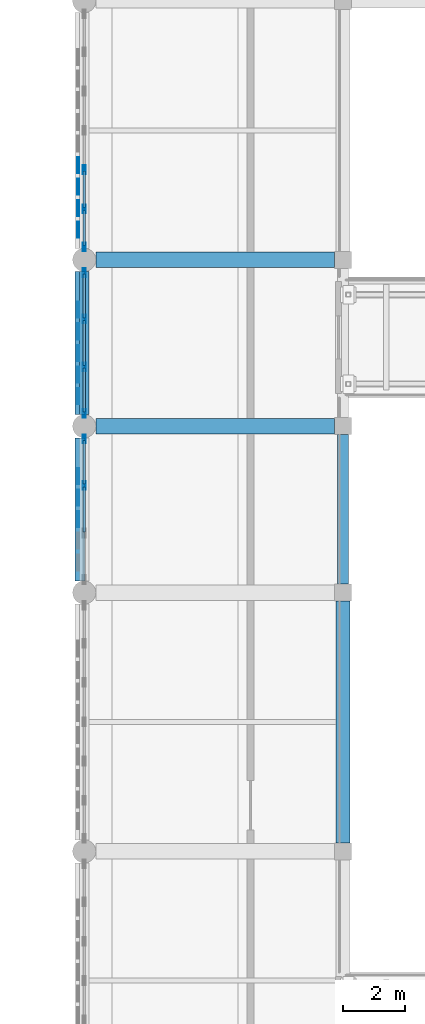
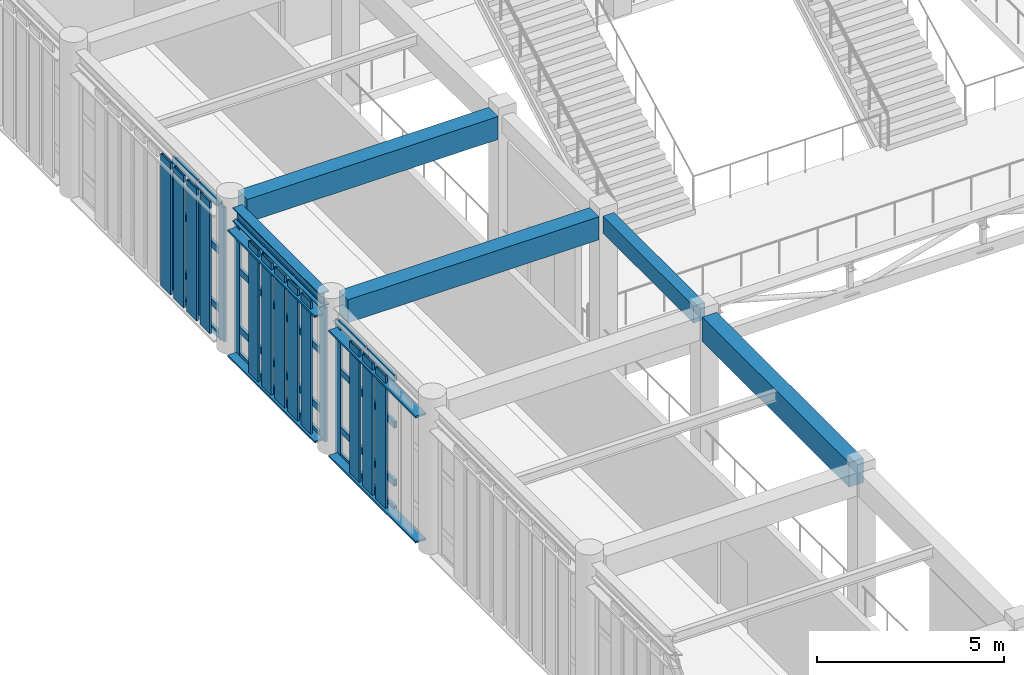
# One storey, part 31 of 106: 53 members, 5 beams, 3 elements without a shape of their own.
"""IFC4 building model written with IfcOpenShell, lengths in metres."""

from ifc_helpers import new_model, si_unit, direction, frame, origin, origin_2d, place, context, subcontext, project, spatial, rectangle, hollow_rectangle, i_section, extrude, material, layer, layer_set, material_profile, profile_set, type_object, element, aggregate, save


model = new_model("IFC4")

# Units and contexts
model_context = context("Model", 3, precision=1e-05, world=origin(), true_north=direction((0.0, 1.0)))
body_context = subcontext(model_context, "Body", "Model", "MODEL_VIEW")
ifc_project = project(units=[si_unit("LENGTHUNIT", "METRE"), si_unit("AREAUNIT", "SQUARE_METRE"), si_unit("VOLUMEUNIT", "CUBIC_METRE"), si_unit("PLANEANGLEUNIT", "RADIAN"), si_unit("MASSUNIT", "GRAM", prefix="KILO")], contexts=[model_context])

# Site, building, storey
site_placement = place(None, origin())
site = spatial("IfcSite", under=ifc_project, at=site_placement, CompositionType="ELEMENT")
building_placement = place(site_placement, origin())
building = spatial("IfcBuilding", under=site, at=building_placement, Name="Krzemoval Escarpment Law Courts", CompositionType="ELEMENT")
storey_placement = place(building_placement, frame((0.0, 0.0, 5.10009765625)))
storey = spatial("IfcBuildingStorey", under=building, at=storey_placement, Name="L01", CompositionType="ELEMENT", Elevation=5.10009765625)

# Beams
ifc_material_1 = material(Name="Concrete C40/50", Category="concrete")
ifc_material_profile_1 = material_profile(ifc_material_1, rectangle(XDim=0.35009765625, YDim=0.550048828125, at=origin_2d()), Name="RCB 350x550")
ifc_profile_set_1 = profile_set([ifc_material_profile_1], Name="Concrete C40/50")
beam_type_1 = type_object("IfcBeamType", Name="BM-RC-350x550", PredefinedType="BEAM", material=ifc_profile_set_1)
beam_1_placement = place(storey_placement, frame((16.800048828125, 74.675048828125, 4.544921875), z_axis=(0.0, 1.0, 0.0), x_axis=(-1.0, 0.0, 0.0)))
element("IfcBeam", 1, at=beam_1_placement, inside=storey, type_object=beam_type_1, Name="Beam FG-L01-1403", PredefinedType="BEAM", context=body_context, shape_type="SweptSolid", body=[
    extrude(rectangle(XDim=0.35009765625, YDim=0.550048828125, at=origin_2d()), origin(), (0.0, 0.0, 1.0), 4.849853515625),
])
ifc_material_2 = material(Name="Concrete C40/50", Category="concrete")
ifc_material_profile_2 = material_profile(ifc_material_2, rectangle(XDim=0.449951171875, YDim=0.800048828125, at=origin_2d()), Name="RCB 450x800")
ifc_profile_set_2 = profile_set([ifc_material_profile_2], Name="Concrete C40/50")
beam_type_2 = type_object("IfcBeamType", Name="BM-RC-450x800", PredefinedType="BEAM", material=ifc_profile_set_2)
beam_2_placement = place(storey_placement, frame((16.800048828125, 66.27490234375, 4.419921875), z_axis=(0.0, 1.0, 0.0), x_axis=(-1.0, 0.0, 0.0)))
element("IfcBeam", 2, at=beam_2_placement, inside=storey, type_object=beam_type_2, Name="Beam FG-L01-1402", PredefinedType="BEAM", context=body_context, shape_type="SweptSolid", body=[
    extrude(rectangle(XDim=0.449951171875, YDim=0.800048828125, at=origin_2d()), origin(), (0.0, 0.0, 1.0), 7.85009765625),
])
ifc_material_3 = material(Name="Concrete C40/50", Category="concrete")
ifc_material_profile_3 = material_profile(ifc_material_3, rectangle(XDim=0.5, YDim=0.75, at=origin_2d()), Name="RCB 500x750")
ifc_profile_set_3 = profile_set([ifc_material_profile_3], Name="Concrete C40/50")
beam_type_3 = type_object("IfcBeamType", Name="BM-RC-500x750", PredefinedType="BEAM", material=ifc_profile_set_3)
for number, where, z_axis, x_axis, name in (
    (3, (8.77490234375, 79.800048828125, 4.44482421875), (1.0, 0.0, 0.0), (0.0, 1.0, 0.0), "Beam FG-L01-1280"),
    (4, (8.77490234375, 85.199951171875, 4.44482421875), (1.0, 0.0, 0.0), (0.0, 1.0, 0.0), "Beam FG-L01-1284"),
):
    element("IfcBeam", number, at=place(storey_placement, frame(where, z_axis=z_axis, x_axis=x_axis)), inside=storey, type_object=beam_type_3, Name=name, PredefinedType="BEAM", context=body_context, shape_type="SweptSolid", body=[
        extrude(rectangle(XDim=0.5, YDim=0.75, at=origin_2d()), origin(), (0.0, 0.0, 1.0), 7.75),
    ])

# Curtain wall, members
ifc_material_4 = material(Name="Aluminium 6063-T6", Category="aluminium")
ifc_layer = layer(ifc_material_4, 0.280029296875)
ifc_layer_set = layer_set([ifc_layer], Name="Aluminium 6063-T6")
curtain_wall_type = type_object("IfcCurtainWallType", Name="CW-HALL-5100", PredefinedType="USERDEFINED", material=ifc_layer_set)
curtain_wall_1_placement = place(storey_placement, origin())
curtain_wall_1 = element("IfcCurtainWall", 5, at=curtain_wall_1_placement, inside=storey, type_object=curtain_wall_type, Name="Unitised Curtain Wall FCW-L01-027", ObjectType="UNITISED_CURTAIN_WALL", PredefinedType="USERDEFINED")
ifc_material_5 = material(Name="Aluminium 6063-T6", Category="aluminium")
ifc_material_profile_4 = material_profile(ifc_material_5, hollow_rectangle(XDim=0.0849609375, YDim=0.280029296875, WallThickness=0.005615234375, at=origin_2d()), Name="ALU M85x280")
ifc_profile_set_4 = profile_set([ifc_material_profile_4], Name="Aluminium 6063-T6")
member_type_1 = type_object("IfcMemberType", Name="CWM-85x280", PredefinedType="MULLION", material=ifc_profile_set_4)
member_1_placement = place(storey_placement, frame((8.39990234375, 77.875, 0.0), z_axis=(0.0, 0.0, 1.0), x_axis=(-1.0, 0.0, 0.0)))
member_1 = element("IfcMember", 6, at=member_1_placement, type_object=member_type_1, Name="FCW-L01-027 mullion 3", PredefinedType="MULLION", context=body_context, shape_type="SweptSolid", body=[
    extrude(hollow_rectangle(XDim=0.0849609375, YDim=0.280029296875, WallThickness=0.005615234375, at=origin_2d()), origin(), (0.0, 0.0, 1.0), 4.369873046875),
])
member_2_placement = place(storey_placement, frame((8.39990234375, 79.382568359375, 0.0), z_axis=(0.0, 0.0, 1.0), x_axis=(-1.0, 0.0, 0.0)))
member_2 = element("IfcMember", 7, at=member_2_placement, type_object=member_type_1, Name="FCW-L01-027 mullion 4", PredefinedType="MULLION", context=body_context, shape_type="SweptSolid", body=[
    extrude(hollow_rectangle(XDim=0.0849609375, YDim=0.280029296875, WallThickness=0.005615234375, at=origin_2d()), origin(), (0.0, 0.0, 1.0), 4.369873046875),
])

curtain_wall_2_placement = place(storey_placement, origin())
curtain_wall_2 = element("IfcCurtainWall", 8, at=curtain_wall_2_placement, inside=storey, type_object=curtain_wall_type, Name="Unitised Curtain Wall FCW-L01-028", ObjectType="UNITISED_CURTAIN_WALL", PredefinedType="USERDEFINED")
member_3_placement = place(storey_placement, frame((8.39990234375, 80.217529296875, 0.0), z_axis=(0.0, 0.0, 1.0), x_axis=(-1.0, 0.0, 0.0)))
member_3 = element("IfcMember", 9, at=member_3_placement, type_object=member_type_1, Name="FCW-L01-028 mullion 1", PredefinedType="MULLION", context=body_context, shape_type="SweptSolid", body=[
    extrude(hollow_rectangle(XDim=0.0849609375, YDim=0.280029296875, WallThickness=0.005615234375, at=origin_2d()), origin(), (0.0, 0.0, 1.0), 4.369873046875),
])
member_4_placement = place(storey_placement, frame((8.39990234375, 81.72509765625, 0.0), z_axis=(0.0, 0.0, 1.0), x_axis=(-1.0, 0.0, 0.0)))
member_4 = element("IfcMember", 10, at=member_4_placement, type_object=member_type_1, Name="FCW-L01-028 mullion 2", PredefinedType="MULLION", context=body_context, shape_type="SweptSolid", body=[
    extrude(hollow_rectangle(XDim=0.0849609375, YDim=0.280029296875, WallThickness=0.005615234375, at=origin_2d()), origin(), (0.0, 0.0, 1.0), 4.369873046875),
])
member_5_placement = place(storey_placement, frame((8.39990234375, 83.27490234375, 0.0), z_axis=(0.0, 0.0, 1.0), x_axis=(-1.0, 0.0, 0.0)))
member_5 = element("IfcMember", 11, at=member_5_placement, type_object=member_type_1, Name="FCW-L01-028 mullion 3", PredefinedType="MULLION", context=body_context, shape_type="SweptSolid", body=[
    extrude(hollow_rectangle(XDim=0.0849609375, YDim=0.280029296875, WallThickness=0.005615234375, at=origin_2d()), origin(), (0.0, 0.0, 1.0), 4.369873046875),
])
member_6_placement = place(storey_placement, frame((8.39990234375, 84.782470703125, 0.0), z_axis=(0.0, 0.0, 1.0), x_axis=(-1.0, 0.0, 0.0)))
member_6 = element("IfcMember", 12, at=member_6_placement, type_object=member_type_1, Name="FCW-L01-028 mullion 4", PredefinedType="MULLION", context=body_context, shape_type="SweptSolid", body=[
    extrude(hollow_rectangle(XDim=0.0849609375, YDim=0.280029296875, WallThickness=0.005615234375, at=origin_2d()), origin(), (0.0, 0.0, 1.0), 4.369873046875),
])

curtain_wall_3_placement = place(storey_placement, origin())
curtain_wall_3 = element("IfcCurtainWall", 13, at=curtain_wall_3_placement, inside=storey, type_object=curtain_wall_type, Name="Unitised Curtain Wall FCW-L01-029", ObjectType="UNITISED_CURTAIN_WALL", PredefinedType="USERDEFINED")
member_7_placement = place(storey_placement, frame((8.39990234375, 85.617431640625, 0.0), z_axis=(0.0, 0.0, 1.0), x_axis=(-1.0, 0.0, 0.0)))
member_7 = element("IfcMember", 14, at=member_7_placement, type_object=member_type_1, Name="FCW-L01-029 mullion 1", PredefinedType="MULLION", context=body_context, shape_type="SweptSolid", body=[
    extrude(hollow_rectangle(XDim=0.0849609375, YDim=0.280029296875, WallThickness=0.005615234375, at=origin_2d()), origin(), (0.0, 0.0, 1.0), 4.369873046875),
])
member_8_placement = place(storey_placement, frame((8.39990234375, 86.85009765625, 0.0), z_axis=(0.0, 0.0, 1.0), x_axis=(-1.0, 0.0, 0.0)))
member_8 = element("IfcMember", 15, at=member_8_placement, type_object=member_type_1, Name="FCW-L01-029 mullion 2", PredefinedType="MULLION", context=body_context, shape_type="SweptSolid", body=[
    extrude(hollow_rectangle(XDim=0.0849609375, YDim=0.280029296875, WallThickness=0.005615234375, at=origin_2d()), origin(), (0.0, 0.0, 1.0), 4.369873046875),
])
member_9_placement = place(storey_placement, frame((8.39990234375, 88.125, 0.0), z_axis=(0.0, 0.0, 1.0), x_axis=(-1.0, 0.0, 0.0)))
member_9 = element("IfcMember", 16, at=member_9_placement, type_object=member_type_1, Name="FCW-L01-029 mullion 3", PredefinedType="MULLION", context=body_context, shape_type="SweptSolid", body=[
    extrude(hollow_rectangle(XDim=0.0849609375, YDim=0.280029296875, WallThickness=0.005615234375, at=origin_2d()), origin(), (0.0, 0.0, 1.0), 4.369873046875),
])

# Member
ifc_material_6 = material(Name="Aluminium 6063-T6", Category="aluminium")
ifc_material_profile_5 = material_profile(ifc_material_6, hollow_rectangle(XDim=0.0849609375, YDim=0.2099609375, WallThickness=0.005615234375, at=origin_2d()), Name="ALU T85x210")
ifc_profile_set_5 = profile_set([ifc_material_profile_5], Name="Aluminium 6063-T6")
member_type_2 = type_object("IfcMemberType", Name="CWT-85x210", PredefinedType="USERDEFINED", material=ifc_profile_set_5)
member_10_placement = place(storey_placement, frame((8.39990234375, 76.367431640625, 0.04248046875), z_axis=(0.0, 1.0, 0.0), x_axis=(-1.0, 0.0, 0.0)))
member_10 = element("IfcMember", 17, at=member_10_placement, type_object=member_type_2, Name="FCW-L01-027 transom 2.1", ObjectType="TRANSOM", PredefinedType="USERDEFINED", context=body_context, shape_type="SweptSolid", body=[
    extrude(hollow_rectangle(XDim=0.0849609375, YDim=0.2099609375, WallThickness=0.005615234375, at=origin_2d()), origin(), (0.0, 0.0, 1.0), 1.465087890625),
])

member_11_placement = place(storey_placement, frame((8.39990234375, 76.367431640625, 0.89990234375), z_axis=(0.0, 1.0, 0.0), x_axis=(-1.0, 0.0, 0.0)))
member_11 = element("IfcMember", 18, at=member_11_placement, type_object=member_type_2, Name="FCW-L01-027 transom 2.2", ObjectType="TRANSOM", PredefinedType="USERDEFINED", context=body_context, shape_type="SweptSolid", body=[
    extrude(hollow_rectangle(XDim=0.0849609375, YDim=0.2099609375, WallThickness=0.005615234375, at=origin_2d()), origin(), (0.0, 0.0, 1.0), 1.465087890625),
])

member_12_placement = place(storey_placement, frame((8.39990234375, 76.367431640625, 2.7998046875), z_axis=(0.0, 1.0, 0.0), x_axis=(-1.0, 0.0, 0.0)))
member_12 = element("IfcMember", 19, at=member_12_placement, type_object=member_type_2, Name="FCW-L01-027 transom 2.3", ObjectType="TRANSOM", PredefinedType="USERDEFINED", context=body_context, shape_type="SweptSolid", body=[
    extrude(hollow_rectangle(XDim=0.0849609375, YDim=0.2099609375, WallThickness=0.005615234375, at=origin_2d()), origin(), (0.0, 0.0, 1.0), 1.465087890625),
])

member_13_placement = place(storey_placement, frame((8.39990234375, 76.367431640625, 4.327392578125), z_axis=(0.0, 1.0, 0.0), x_axis=(-1.0, 0.0, 0.0)))
member_13 = element("IfcMember", 20, at=member_13_placement, type_object=member_type_2, Name="FCW-L01-027 transom 2.4", ObjectType="TRANSOM", PredefinedType="USERDEFINED", context=body_context, shape_type="SweptSolid", body=[
    extrude(hollow_rectangle(XDim=0.0849609375, YDim=0.2099609375, WallThickness=0.005615234375, at=origin_2d()), origin(), (0.0, 0.0, 1.0), 1.465087890625),
])

member_14_placement = place(storey_placement, frame((8.39990234375, 77.91748046875, 0.04248046875), z_axis=(0.0, 1.0, 0.0), x_axis=(-1.0, 0.0, 0.0)))
member_14 = element("IfcMember", 21, at=member_14_placement, type_object=member_type_2, Name="FCW-L01-027 transom 3.1", ObjectType="TRANSOM", PredefinedType="USERDEFINED", context=body_context, shape_type="SweptSolid", body=[
    extrude(hollow_rectangle(XDim=0.0849609375, YDim=0.2099609375, WallThickness=0.005615234375, at=origin_2d()), origin(), (0.0, 0.0, 1.0), 1.422607421875),
])

member_15_placement = place(storey_placement, frame((8.39990234375, 77.91748046875, 0.89990234375), z_axis=(0.0, 1.0, 0.0), x_axis=(-1.0, 0.0, 0.0)))
member_15 = element("IfcMember", 22, at=member_15_placement, type_object=member_type_2, Name="FCW-L01-027 transom 3.2", ObjectType="TRANSOM", PredefinedType="USERDEFINED", context=body_context, shape_type="SweptSolid", body=[
    extrude(hollow_rectangle(XDim=0.0849609375, YDim=0.2099609375, WallThickness=0.005615234375, at=origin_2d()), origin(), (0.0, 0.0, 1.0), 1.422607421875),
])

member_16_placement = place(storey_placement, frame((8.39990234375, 77.91748046875, 2.7998046875), z_axis=(0.0, 1.0, 0.0), x_axis=(-1.0, 0.0, 0.0)))
member_16 = element("IfcMember", 23, at=member_16_placement, type_object=member_type_2, Name="FCW-L01-027 transom 3.3", ObjectType="TRANSOM", PredefinedType="USERDEFINED", context=body_context, shape_type="SweptSolid", body=[
    extrude(hollow_rectangle(XDim=0.0849609375, YDim=0.2099609375, WallThickness=0.005615234375, at=origin_2d()), origin(), (0.0, 0.0, 1.0), 1.422607421875),
])

member_17_placement = place(storey_placement, frame((8.39990234375, 77.91748046875, 4.327392578125), z_axis=(0.0, 1.0, 0.0), x_axis=(-1.0, 0.0, 0.0)))
member_17 = element("IfcMember", 24, at=member_17_placement, type_object=member_type_2, Name="FCW-L01-027 transom 3.4", ObjectType="TRANSOM", PredefinedType="USERDEFINED", context=body_context, shape_type="SweptSolid", body=[
    extrude(hollow_rectangle(XDim=0.0849609375, YDim=0.2099609375, WallThickness=0.005615234375, at=origin_2d()), origin(), (0.0, 0.0, 1.0), 1.422607421875),
])

aggregate(curtain_wall_1, [member_1, member_2, member_10, member_11, member_12, member_13, member_14, member_15, member_16, member_17])

member_18_placement = place(storey_placement, frame((8.39990234375, 80.260009765625, 0.04248046875), z_axis=(0.0, 1.0, 0.0), x_axis=(-1.0, 0.0, 0.0)))
member_18 = element("IfcMember", 25, at=member_18_placement, type_object=member_type_2, Name="FCW-L01-028 transom 1.1", ObjectType="TRANSOM", PredefinedType="USERDEFINED", context=body_context, shape_type="SweptSolid", body=[
    extrude(hollow_rectangle(XDim=0.0849609375, YDim=0.2099609375, WallThickness=0.005615234375, at=origin_2d()), origin(), (0.0, 0.0, 1.0), 1.422607421875),
])

member_19_placement = place(storey_placement, frame((8.39990234375, 80.260009765625, 0.89990234375), z_axis=(0.0, 1.0, 0.0), x_axis=(-1.0, 0.0, 0.0)))
member_19 = element("IfcMember", 26, at=member_19_placement, type_object=member_type_2, Name="FCW-L01-028 transom 1.2", ObjectType="TRANSOM", PredefinedType="USERDEFINED", context=body_context, shape_type="SweptSolid", body=[
    extrude(hollow_rectangle(XDim=0.0849609375, YDim=0.2099609375, WallThickness=0.005615234375, at=origin_2d()), origin(), (0.0, 0.0, 1.0), 1.422607421875),
])

member_20_placement = place(storey_placement, frame((8.39990234375, 80.260009765625, 2.7998046875), z_axis=(0.0, 1.0, 0.0), x_axis=(-1.0, 0.0, 0.0)))
member_20 = element("IfcMember", 27, at=member_20_placement, type_object=member_type_2, Name="FCW-L01-028 transom 1.3", ObjectType="TRANSOM", PredefinedType="USERDEFINED", context=body_context, shape_type="SweptSolid", body=[
    extrude(hollow_rectangle(XDim=0.0849609375, YDim=0.2099609375, WallThickness=0.005615234375, at=origin_2d()), origin(), (0.0, 0.0, 1.0), 1.422607421875),
])

member_21_placement = place(storey_placement, frame((8.39990234375, 80.260009765625, 4.327392578125), z_axis=(0.0, 1.0, 0.0), x_axis=(-1.0, 0.0, 0.0)))
member_21 = element("IfcMember", 28, at=member_21_placement, type_object=member_type_2, Name="FCW-L01-028 transom 1.4", ObjectType="TRANSOM", PredefinedType="USERDEFINED", context=body_context, shape_type="SweptSolid", body=[
    extrude(hollow_rectangle(XDim=0.0849609375, YDim=0.2099609375, WallThickness=0.005615234375, at=origin_2d()), origin(), (0.0, 0.0, 1.0), 1.422607421875),
])

member_22_placement = place(storey_placement, frame((8.39990234375, 81.767578125, 0.04248046875), z_axis=(0.0, 1.0, 0.0), x_axis=(-1.0, 0.0, 0.0)))
member_22 = element("IfcMember", 29, at=member_22_placement, type_object=member_type_2, Name="FCW-L01-028 transom 2.1", ObjectType="TRANSOM", PredefinedType="USERDEFINED", context=body_context, shape_type="SweptSolid", body=[
    extrude(hollow_rectangle(XDim=0.0849609375, YDim=0.2099609375, WallThickness=0.005615234375, at=origin_2d()), origin(), (0.0, 0.0, 1.0), 1.46484375),
])

member_23_placement = place(storey_placement, frame((8.39990234375, 81.767578125, 0.89990234375), z_axis=(0.0, 1.0, 0.0), x_axis=(-1.0, 0.0, 0.0)))
member_23 = element("IfcMember", 30, at=member_23_placement, type_object=member_type_2, Name="FCW-L01-028 transom 2.2", ObjectType="TRANSOM", PredefinedType="USERDEFINED", context=body_context, shape_type="SweptSolid", body=[
    extrude(hollow_rectangle(XDim=0.0849609375, YDim=0.2099609375, WallThickness=0.005615234375, at=origin_2d()), origin(), (0.0, 0.0, 1.0), 1.46484375),
])

member_24_placement = place(storey_placement, frame((8.39990234375, 81.767578125, 2.7998046875), z_axis=(0.0, 1.0, 0.0), x_axis=(-1.0, 0.0, 0.0)))
member_24 = element("IfcMember", 31, at=member_24_placement, type_object=member_type_2, Name="FCW-L01-028 transom 2.3", ObjectType="TRANSOM", PredefinedType="USERDEFINED", context=body_context, shape_type="SweptSolid", body=[
    extrude(hollow_rectangle(XDim=0.0849609375, YDim=0.2099609375, WallThickness=0.005615234375, at=origin_2d()), origin(), (0.0, 0.0, 1.0), 1.46484375),
])

member_25_placement = place(storey_placement, frame((8.39990234375, 81.767578125, 4.327392578125), z_axis=(0.0, 1.0, 0.0), x_axis=(-1.0, 0.0, 0.0)))
member_25 = element("IfcMember", 32, at=member_25_placement, type_object=member_type_2, Name="FCW-L01-028 transom 2.4", ObjectType="TRANSOM", PredefinedType="USERDEFINED", context=body_context, shape_type="SweptSolid", body=[
    extrude(hollow_rectangle(XDim=0.0849609375, YDim=0.2099609375, WallThickness=0.005615234375, at=origin_2d()), origin(), (0.0, 0.0, 1.0), 1.46484375),
])

member_26_placement = place(storey_placement, frame((8.39990234375, 83.3173828125, 0.04248046875), z_axis=(0.0, 1.0, 0.0), x_axis=(-1.0, 0.0, 0.0)))
member_26 = element("IfcMember", 33, at=member_26_placement, type_object=member_type_2, Name="FCW-L01-028 transom 3.1", ObjectType="TRANSOM", PredefinedType="USERDEFINED", context=body_context, shape_type="SweptSolid", body=[
    extrude(hollow_rectangle(XDim=0.0849609375, YDim=0.2099609375, WallThickness=0.005615234375, at=origin_2d()), origin(), (0.0, 0.0, 1.0), 1.422607421875),
])

member_27_placement = place(storey_placement, frame((8.39990234375, 83.3173828125, 0.89990234375), z_axis=(0.0, 1.0, 0.0), x_axis=(-1.0, 0.0, 0.0)))
member_27 = element("IfcMember", 34, at=member_27_placement, type_object=member_type_2, Name="FCW-L01-028 transom 3.2", ObjectType="TRANSOM", PredefinedType="USERDEFINED", context=body_context, shape_type="SweptSolid", body=[
    extrude(hollow_rectangle(XDim=0.0849609375, YDim=0.2099609375, WallThickness=0.005615234375, at=origin_2d()), origin(), (0.0, 0.0, 1.0), 1.422607421875),
])

member_28_placement = place(storey_placement, frame((8.39990234375, 83.3173828125, 2.7998046875), z_axis=(0.0, 1.0, 0.0), x_axis=(-1.0, 0.0, 0.0)))
member_28 = element("IfcMember", 35, at=member_28_placement, type_object=member_type_2, Name="FCW-L01-028 transom 3.3", ObjectType="TRANSOM", PredefinedType="USERDEFINED", context=body_context, shape_type="SweptSolid", body=[
    extrude(hollow_rectangle(XDim=0.0849609375, YDim=0.2099609375, WallThickness=0.005615234375, at=origin_2d()), origin(), (0.0, 0.0, 1.0), 1.422607421875),
])

member_29_placement = place(storey_placement, frame((8.39990234375, 83.3173828125, 4.327392578125), z_axis=(0.0, 1.0, 0.0), x_axis=(-1.0, 0.0, 0.0)))
member_29 = element("IfcMember", 36, at=member_29_placement, type_object=member_type_2, Name="FCW-L01-028 transom 3.4", ObjectType="TRANSOM", PredefinedType="USERDEFINED", context=body_context, shape_type="SweptSolid", body=[
    extrude(hollow_rectangle(XDim=0.0849609375, YDim=0.2099609375, WallThickness=0.005615234375, at=origin_2d()), origin(), (0.0, 0.0, 1.0), 1.422607421875),
])

aggregate(curtain_wall_2, [member_3, member_4, member_5, member_6, member_18, member_19, member_20, member_21, member_22, member_23, member_24, member_25, member_26, member_27, member_28, member_29])

member_30_placement = place(storey_placement, frame((8.39990234375, 85.659912109375, 0.04248046875), z_axis=(0.0, 1.0, 0.0), x_axis=(-1.0, 0.0, 0.0)))
member_30 = element("IfcMember", 37, at=member_30_placement, type_object=member_type_2, Name="FCW-L01-029 transom 1.1", ObjectType="TRANSOM", PredefinedType="USERDEFINED", context=body_context, shape_type="SweptSolid", body=[
    extrude(hollow_rectangle(XDim=0.0849609375, YDim=0.2099609375, WallThickness=0.005615234375, at=origin_2d()), origin(), (0.0, 0.0, 1.0), 1.147705078125),
])

member_31_placement = place(storey_placement, frame((8.39990234375, 85.659912109375, 0.89990234375), z_axis=(0.0, 1.0, 0.0), x_axis=(-1.0, 0.0, 0.0)))
member_31 = element("IfcMember", 38, at=member_31_placement, type_object=member_type_2, Name="FCW-L01-029 transom 1.2", ObjectType="TRANSOM", PredefinedType="USERDEFINED", context=body_context, shape_type="SweptSolid", body=[
    extrude(hollow_rectangle(XDim=0.0849609375, YDim=0.2099609375, WallThickness=0.005615234375, at=origin_2d()), origin(), (0.0, 0.0, 1.0), 1.147705078125),
])

member_32_placement = place(storey_placement, frame((8.39990234375, 85.659912109375, 2.7998046875), z_axis=(0.0, 1.0, 0.0), x_axis=(-1.0, 0.0, 0.0)))
member_32 = element("IfcMember", 39, at=member_32_placement, type_object=member_type_2, Name="FCW-L01-029 transom 1.3", ObjectType="TRANSOM", PredefinedType="USERDEFINED", context=body_context, shape_type="SweptSolid", body=[
    extrude(hollow_rectangle(XDim=0.0849609375, YDim=0.2099609375, WallThickness=0.005615234375, at=origin_2d()), origin(), (0.0, 0.0, 1.0), 1.147705078125),
])

member_33_placement = place(storey_placement, frame((8.39990234375, 85.659912109375, 4.327392578125), z_axis=(0.0, 1.0, 0.0), x_axis=(-1.0, 0.0, 0.0)))
member_33 = element("IfcMember", 40, at=member_33_placement, type_object=member_type_2, Name="FCW-L01-029 transom 1.4", ObjectType="TRANSOM", PredefinedType="USERDEFINED", context=body_context, shape_type="SweptSolid", body=[
    extrude(hollow_rectangle(XDim=0.0849609375, YDim=0.2099609375, WallThickness=0.005615234375, at=origin_2d()), origin(), (0.0, 0.0, 1.0), 1.147705078125),
])

member_34_placement = place(storey_placement, frame((8.39990234375, 86.892578125, 0.04248046875), z_axis=(0.0, 1.0, 0.0), x_axis=(-1.0, 0.0, 0.0)))
member_34 = element("IfcMember", 41, at=member_34_placement, type_object=member_type_2, Name="FCW-L01-029 transom 2.1", ObjectType="TRANSOM", PredefinedType="USERDEFINED", context=body_context, shape_type="SweptSolid", body=[
    extrude(hollow_rectangle(XDim=0.0849609375, YDim=0.2099609375, WallThickness=0.005615234375, at=origin_2d()), origin(), (0.0, 0.0, 1.0), 1.18994140625),
])

member_35_placement = place(storey_placement, frame((8.39990234375, 86.892578125, 0.89990234375), z_axis=(0.0, 1.0, 0.0), x_axis=(-1.0, 0.0, 0.0)))
member_35 = element("IfcMember", 42, at=member_35_placement, type_object=member_type_2, Name="FCW-L01-029 transom 2.2", ObjectType="TRANSOM", PredefinedType="USERDEFINED", context=body_context, shape_type="SweptSolid", body=[
    extrude(hollow_rectangle(XDim=0.0849609375, YDim=0.2099609375, WallThickness=0.005615234375, at=origin_2d()), origin(), (0.0, 0.0, 1.0), 1.18994140625),
])

member_36_placement = place(storey_placement, frame((8.39990234375, 86.892578125, 2.7998046875), z_axis=(0.0, 1.0, 0.0), x_axis=(-1.0, 0.0, 0.0)))
member_36 = element("IfcMember", 43, at=member_36_placement, type_object=member_type_2, Name="FCW-L01-029 transom 2.3", ObjectType="TRANSOM", PredefinedType="USERDEFINED", context=body_context, shape_type="SweptSolid", body=[
    extrude(hollow_rectangle(XDim=0.0849609375, YDim=0.2099609375, WallThickness=0.005615234375, at=origin_2d()), origin(), (0.0, 0.0, 1.0), 1.18994140625),
])

member_37_placement = place(storey_placement, frame((8.39990234375, 86.892578125, 4.327392578125), z_axis=(0.0, 1.0, 0.0), x_axis=(-1.0, 0.0, 0.0)))
member_37 = element("IfcMember", 44, at=member_37_placement, type_object=member_type_2, Name="FCW-L01-029 transom 2.4", ObjectType="TRANSOM", PredefinedType="USERDEFINED", context=body_context, shape_type="SweptSolid", body=[
    extrude(hollow_rectangle(XDim=0.0849609375, YDim=0.2099609375, WallThickness=0.005615234375, at=origin_2d()), origin(), (0.0, 0.0, 1.0), 1.18994140625),
])

aggregate(curtain_wall_3, [member_7, member_8, member_9, member_30, member_31, member_32, member_33, member_34, member_35, member_36, member_37])

# Members
ifc_material_7 = material(Name="Anodised Aluminium Alloy 6063-T6", Category="aluminium")
ifc_material_profile_6 = material_profile(ifc_material_7, hollow_rectangle(XDim=0.06005859375, YDim=0.320068359375, WallThickness=0.00390625, at=origin_2d()), Name="ALU LVR 60x320")
ifc_profile_set_6 = profile_set([ifc_material_profile_6], Name="Anodised Aluminium Alloy 6063-T6")
member_type_3 = type_object("IfcMemberType", Name="LVR-ALU-320", PredefinedType="USERDEFINED", material=ifc_profile_set_6)
for number, where, z_axis, x_axis, name in (
    (45, (8.260009765625, 74.77490234375, 0.02978515625), (0.0, 1.0, 0.0), (0.0, 0.0, 1.0), "Sunshade Support Rail FSR-L01-0052"),
    (46, (8.260009765625, 74.77490234375, 4.119873046875), (0.0, 1.0, 0.0), (0.0, 0.0, 1.0), "Sunshade Support Rail FSR-L01-0053"),
):
    element("IfcMember", number, at=place(storey_placement, frame(where, z_axis=z_axis, x_axis=x_axis)), inside=storey, type_object=member_type_3, Name=name, ObjectType="SUNSHADE_LOUVRE", PredefinedType="USERDEFINED", context=body_context, shape_type="SweptSolid", body=[
        extrude(hollow_rectangle(XDim=0.06005859375, YDim=0.320068359375, WallThickness=0.00390625, at=origin_2d()), origin(), (0.0, 0.0, 1.0), 4.650146484375),
    ])
for number, where, z_axis, x_axis, name in (
    (47, (8.260009765625, 80.175048828125, 0.02978515625), (0.0, 1.0, 0.0), (0.0, 0.0, 1.0), "Sunshade Support Rail FSR-L01-0059"),
    (48, (8.260009765625, 80.175048828125, 4.119873046875), (0.0, 1.0, 0.0), (0.0, 0.0, 1.0), "Sunshade Support Rail FSR-L01-0060"),
):
    element("IfcMember", number, at=place(storey_placement, frame(where, z_axis=z_axis, x_axis=x_axis)), inside=storey, type_object=member_type_3, Name=name, ObjectType="SUNSHADE_LOUVRE", PredefinedType="USERDEFINED", context=body_context, shape_type="SweptSolid", body=[
        extrude(hollow_rectangle(XDim=0.06005859375, YDim=0.320068359375, WallThickness=0.00390625, at=origin_2d()), origin(), (0.0, 0.0, 1.0), 4.64990234375),
    ])
ifc_material_8 = material(Name="Anodised Aluminium Alloy 6063-T6", Category="aluminium")
ifc_material_profile_7 = material_profile(ifc_material_8, hollow_rectangle(XDim=0.06494140625, YDim=0.52001953125, WallThickness=0.00439453125, at=origin_2d()), Name="ALU LVR 65x520")
ifc_profile_set_7 = profile_set([ifc_material_profile_7], Name="Anodised Aluminium Alloy 6063-T6")
member_type_4 = type_object("IfcMemberType", Name="LVR-ALU-520", PredefinedType="USERDEFINED", material=ifc_profile_set_7)
for number, where, z_axis, x_axis, name in (
    (49, (8.199951171875, 76.77490234375, 0.059814453125), (0.0, 0.0, 1.0), (1.0, 0.0, 0.0), "Sunshade Louvre Fin FLV-L01-0056"),
    (50, (8.199951171875, 77.47509765625, 0.059814453125), (0.0, 0.0, 1.0), (1.0, 0.0, 0.0), "Sunshade Louvre Fin FLV-L01-0057"),
    (51, (8.199951171875, 78.175048828125, 0.059814453125), (0.0, 0.0, 1.0), (1.0, 0.0, 0.0), "Sunshade Louvre Fin FLV-L01-0058"),
    (52, (8.199951171875, 80.77490234375, 0.059814453125), (0.0, 0.0, 1.0), (1.0, 0.0, 0.0), "Sunshade Louvre Fin FLV-L01-0061"),
    (53, (8.199951171875, 81.47509765625, 0.059814453125), (0.0, 0.0, 1.0), (1.0, 0.0, 0.0), "Sunshade Louvre Fin FLV-L01-0062"),
    (54, (8.199951171875, 82.175048828125, 0.059814453125), (0.0, 0.0, 1.0), (1.0, 0.0, 0.0), "Sunshade Louvre Fin FLV-L01-0063"),
    (55, (8.199951171875, 82.875, 0.059814453125), (0.0, 0.0, 1.0), (1.0, 0.0, 0.0), "Sunshade Louvre Fin FLV-L01-0064"),
    (56, (8.199951171875, 83.574951171875, 0.059814453125), (0.0, 0.0, 1.0), (1.0, 0.0, 0.0), "Sunshade Louvre Fin FLV-L01-0065"),
    (57, (8.199951171875, 86.175048828125, 0.059814453125), (0.0, 0.0, 1.0), (1.0, 0.0, 0.0), "Sunshade Louvre Fin FLV-L01-0068"),
    (58, (8.199951171875, 86.875, 0.059814453125), (0.0, 0.0, 1.0), (1.0, 0.0, 0.0), "Sunshade Louvre Fin FLV-L01-0069"),
    (59, (8.199951171875, 87.574951171875, 0.059814453125), (0.0, 0.0, 1.0), (1.0, 0.0, 0.0), "Sunshade Louvre Fin FLV-L01-0070"),
    (60, (8.199951171875, 88.27490234375, 0.059814453125), (0.0, 0.0, 1.0), (1.0, 0.0, 0.0), "Sunshade Louvre Fin FLV-L01-0071"),
):
    element("IfcMember", number, at=place(storey_placement, frame(where, z_axis=z_axis, x_axis=x_axis)), inside=storey, type_object=member_type_4, Name=name, ObjectType="SUNSHADE_LOUVRE", PredefinedType="USERDEFINED", context=body_context, shape_type="SweptSolid", body=[
        extrude(hollow_rectangle(XDim=0.06494140625, YDim=0.52001953125, WallThickness=0.00439453125, at=origin_2d()), origin(), (0.0, 0.0, 1.0), 4.31005859375),
    ])

# Beam
ifc_material_9 = material(Name="Steel S355", Category="steel")
ifc_material_profile_8 = material_profile(ifc_material_9, i_section(OverallWidth=0.300048828125, OverallDepth=0.449951171875, WebThickness=0.013916015625, FlangeThickness=0.02587890625, at=origin_2d()), Name="HEB 450")
ifc_profile_set_8 = profile_set([ifc_material_profile_8], Name="Steel S355")
beam_type_4 = type_object("IfcBeamType", Name="SPN-S355-HEB450", PredefinedType="SPANDREL", material=ifc_profile_set_8)
beam_3_placement = place(storey_placement, frame((8.39990234375, 80.175048828125, 4.594970703125), z_axis=(0.0, 1.0, 0.0), x_axis=(-1.0, 0.0, 0.0)))
element("IfcBeam", 61, at=beam_3_placement, inside=storey, type_object=beam_type_4, Name="Beam FG-L01-1388", PredefinedType="SPANDREL", context=body_context, shape_type="SweptSolid", body=[
    extrude(i_section(OverallWidth=0.300048828125, OverallDepth=0.449951171875, WebThickness=0.013916015625, FlangeThickness=0.02587890625, at=origin_2d()), origin(), (0.0, 0.0, 1.0), 4.64990234375),
])

save(model, "model.ifc")
